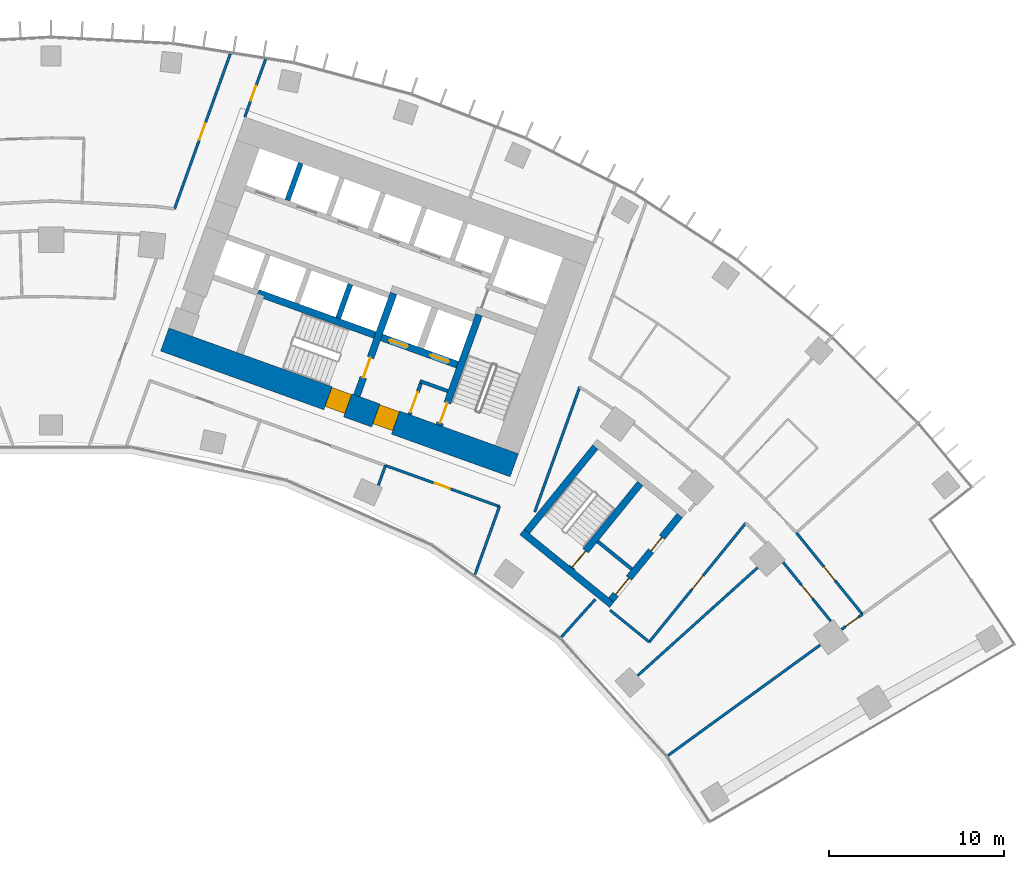
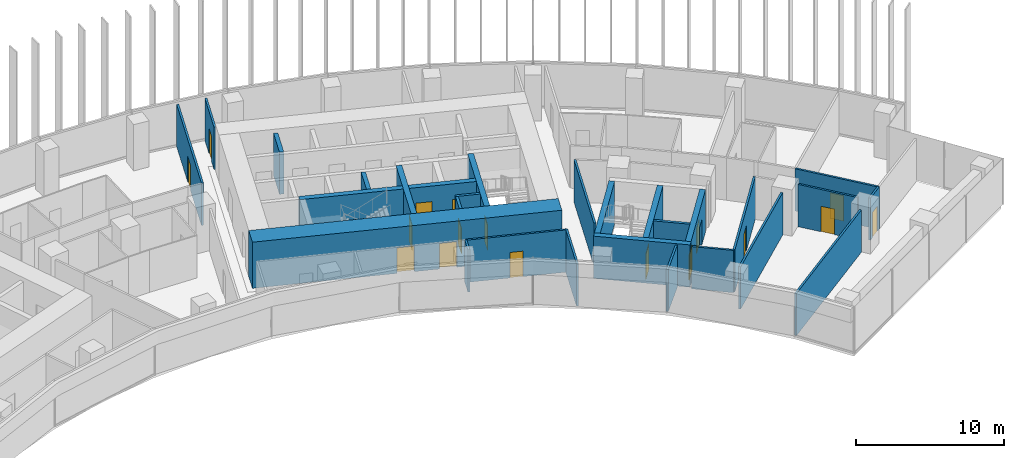
# One storey, part 18 of 22: 27 walls, 17 doors, 17 openings.
"""IFC4 building model written with IfcOpenShell, lengths in metres."""

from ifc_helpers import new_model, si_unit, direction, frame, frame_2d, origin, place, context, subcontext, project, spatial, rectangle, extrude, material, layer, layer_set, type_object, element, fill, save


model = new_model("IFC4")

# Units and contexts
model_context = context("Model", 3, precision=1e-05, world=origin(), true_north=direction((0.0, 1.0)))
body_context = subcontext(model_context, "Body", "Model", "MODEL_VIEW")
ifc_project = project(units=[si_unit("LENGTHUNIT", "METRE"), si_unit("AREAUNIT", "SQUARE_METRE"), si_unit("VOLUMEUNIT", "CUBIC_METRE"), si_unit("PLANEANGLEUNIT", "RADIAN"), si_unit("MASSUNIT", "GRAM", prefix="KILO")], contexts=[model_context])

# Site, building, storey
site_placement = place(None, origin())
site = spatial("IfcSite", under=ifc_project, at=site_placement, CompositionType="ELEMENT")
building_placement = place(site_placement, origin())
building = spatial("IfcBuilding", under=site, at=building_placement, Name="Stone Belt Terrace Tower", CompositionType="ELEMENT")
storey_placement = place(building_placement, frame((0.0, 0.0, 121.199951171875)))
storey = spatial("IfcBuildingStorey", under=building, at=storey_placement, Name="L29", CompositionType="ELEMENT", Elevation=121.199951171875)

# Wall, openings, doors
ifc_material_1 = material(Name="Concrete B80", Category="concrete")
ifc_layer_1 = layer(ifc_material_1, 1.39990234375)
ifc_layer_set_1 = layer_set([ifc_layer_1], Name="Core wall 1400 B80")
wall_type_1 = type_object("IfcWallType", Name="Core wall 1400 B80", PredefinedType="SHEAR", material=ifc_layer_set_1)
wall_1_placement = place(storey_placement, frame((6.4833984375, 49.318115234375, 0.0), z_axis=(0.0, 0.0, 1.0), x_axis=(0.940923374003, -0.33861955681, 0.0)))
wall_1 = element("IfcWall", 1, at=wall_1_placement, inside=storey, type_object=wall_type_1, Name="Core B wall concave L29", PredefinedType="SHEAR", context=body_context, shape_type="SweptSolid", body=[
    extrude(rectangle(XDim=21.199951171875, YDim=1.39990234375, at=frame_2d((10.60009765625, 0.0))), origin(), (0.0, 0.0, 1.0), 3.800048828125),
])
opening_1_placement = place(wall_1_placement, frame((12.800048828125, 0.0, 0.0)))
opening_1 = element("IfcOpeningElement", 2, at=opening_1_placement, cuts=wall_1, Name="Opening L29-C13", PredefinedType="OPENING", context=body_context, shape_type="SweptSolid", body=[
    extrude(rectangle(XDim=1.199951171875, YDim=2.10009765625, at=frame_2d((0.60009765625, 1.050048828125))), frame((0.0, 0.7099609375, 0.0), z_axis=(0.0, -1.0, 0.0), x_axis=(1.0, 0.0, 0.0)), (0.0, 0.0, 1.0), 1.419921875),
])
opening_2_placement = place(wall_1_placement, frame((9.89990234375, 0.0, 0.0)))
opening_2 = element("IfcOpeningElement", 3, at=opening_2_placement, cuts=wall_1, Name="Opening L29-C15", PredefinedType="OPENING", context=body_context, shape_type="SweptSolid", body=[
    extrude(rectangle(XDim=1.199951171875, YDim=2.10009765625, at=frame_2d((0.60009765625, 1.050048828125))), frame((0.0, 0.7099609375, 0.0), z_axis=(0.0, -1.0, 0.0), x_axis=(1.0, 0.0, 0.0)), (0.0, 0.0, 1.0), 1.419921875),
])
ifc_material_2 = material(Name="Steel door leaf", Category="steel")
door_type_1 = type_object("IfcDoorType", Name="Fire-fighting lobby door 1200", OperationType="SINGLE_SWING_LEFT", PredefinedType="DOOR", material=ifc_material_2)
door_1_placement = place(opening_1_placement, origin())
door_1 = element("IfcDoor", 4, at=door_1_placement, inside=storey, type_object=door_type_1, Name="Fire-fighting lobby door core B", OperationType="SINGLE_SWING_LEFT", OverallHeight=2.10009765625, OverallWidth=1.199951171875, PredefinedType="DOOR", context=body_context, shape_type="SweptSolid", body=[
    extrude(rectangle(XDim=1.199951171875, YDim=2.10009765625, at=frame_2d((0.60009765625, 1.050048828125))), frame((0.0, 0.655029296875, 0.0), z_axis=(0.0, -1.0, 0.0), x_axis=(1.0, 0.0, 0.0)), (0.0, 0.0, 1.0), 1.14990234375),
])
fill(opening_1, door_1)
door_type_2 = type_object("IfcDoorType", Name="Stair door 1200", OperationType="SINGLE_SWING_LEFT", PredefinedType="DOOR", material=ifc_material_2)
door_2_placement = place(opening_2_placement, origin())
door_2 = element("IfcDoor", 5, at=door_2_placement, inside=storey, type_object=door_type_2, Name="Stair 2 exit door core B", OperationType="SINGLE_SWING_RIGHT", OverallHeight=2.10009765625, OverallWidth=1.199951171875, PredefinedType="DOOR", context=body_context, shape_type="SweptSolid", body=[
    extrude(rectangle(XDim=1.199951171875, YDim=2.10009765625, at=frame_2d((0.60009765625, 1.050048828125))), frame((0.0, 0.655029296875, 0.0), z_axis=(0.0, -1.0, 0.0), x_axis=(1.0, 0.0, 0.0)), (0.0, 0.0, 1.0), 1.14990234375),
])
fill(opening_2, door_2)

# Walls
ifc_layer_2 = layer(ifc_material_1, 0.300048828125)
ifc_layer_set_2 = layer_set([ifc_layer_2], Name="Lift shaft wall 300")
wall_type_2 = type_object("IfcWallType", Name="Lift shaft wall 300", PredefinedType="SHEAR", material=ifc_layer_set_2)
wall_2_placement = place(storey_placement, frame((16.38134765625, 50.53857421875, 0.0), z_axis=(0.0, 0.0, 1.0), x_axis=(0.338681515556, 0.940901073982, 0.0)))
element("IfcWall", 6, at=wall_2_placement, inside=storey, type_object=wall_type_2, Name="Core B wall", PredefinedType="SHEAR", context=body_context, shape_type="SweptSolid", body=[
    extrude(rectangle(XDim=2.050048828125, YDim=0.300048828125, at=frame_2d((1.02490234375, 0.0))), origin(), (0.0, 0.0, 1.0), 3.47998046875),
])
wall_3_placement = place(storey_placement, frame((13.48828125, 57.265625, 0.0), z_axis=(0.0, 0.0, 1.0), x_axis=(0.338631098537, 0.940919220286, 0.0)))
element("IfcWall", 7, at=wall_3_placement, inside=storey, type_object=wall_type_2, Name="Core B wall", PredefinedType="SHEAR", context=body_context, shape_type="SweptSolid", body=[
    extrude(rectangle(XDim=2.250244140625, YDim=0.300048828125, at=frame_2d((1.125, 0.0))), origin(), (0.0, 0.0, 1.0), 3.47998046875),
])

# Wall, opening, door
ifc_material_3 = material(Name="Gypsum board partition")
ifc_layer_3 = layer(ifc_material_3, 0.14990234375)
ifc_layer_set_3 = layer_set([ifc_layer_3], Name="PARTITION 150 EI 60")
wall_type_3 = type_object("IfcWallType", Name="PARTITION 150 EI 60", PredefinedType="PARTITIONING", material=ifc_layer_set_3)
wall_4_placement = place(storey_placement, frame((12.23486328125, 65.297119140625, 0.0), z_axis=(0.0, 0.0, 1.0), x_axis=(-0.338853532575, -0.94083913793, 0.0)))
wall_4 = element("IfcWall", 8, at=wall_4_placement, inside=storey, type_object=wall_type_3, Name="L29/wall/i022", PredefinedType="PARTITIONING", context=body_context, shape_type="SweptSolid", body=[
    extrude(rectangle(XDim=3.482177734375, YDim=0.14990234375, at=frame_2d((1.7412109375, 0.0))), origin(), (0.0, 0.0, 1.0), 3.47998046875),
])
opening_3_placement = place(wall_4_placement, frame((1.58837890625, 0.0, 0.0)))
opening_3 = element("IfcOpeningElement", 9, at=opening_3_placement, cuts=wall_4, Name="Opening D-B4-09", PredefinedType="OPENING", context=body_context, shape_type="SweptSolid", body=[
    extrude(rectangle(XDim=0.89990234375, YDim=2.10009765625, at=frame_2d((0.449951171875, 1.050048828125))), frame((0.0, 0.0849609375, 0.0), z_axis=(0.0, -1.0, 0.0), x_axis=(1.0, 0.0, 0.0)), (0.0, 0.0, 1.0), 0.169921875),
])
ifc_material_4 = material(Name="Timber door leaf", Category="wood")
door_type_3 = type_object("IfcDoorType", Name="OFFICE DOOR 900 X 2100", OperationType="NOTDEFINED", PredefinedType="DOOR", material=ifc_material_4)
door_3_placement = place(opening_3_placement, origin())
door_3 = element("IfcDoor", 10, at=door_3_placement, inside=storey, type_object=door_type_3, Name="L29/door/i09", OperationType="SINGLE_SWING_RIGHT", OverallHeight=2.10009765625, OverallWidth=0.89990234375, PredefinedType="DOOR", context=body_context, shape_type="SweptSolid", body=[
    extrude(rectangle(XDim=0.89990234375, YDim=2.10009765625, at=frame_2d((0.449951171875, 1.050048828125))), frame((0.0, 0.02490234375, 0.0), z_axis=(0.0, -1.0, 0.0), x_axis=(1.0, 0.0, 0.0)), (0.0, 0.0, 1.0), 0.050048828125),
])
fill(opening_3, door_3)

wall_5_placement = place(storey_placement, frame((7.0390625, 56.76708984375, 0.0), z_axis=(0.0, 0.0, 1.0), x_axis=(0.338637655092, 0.940916860596, 0.0)))
wall_5 = element("IfcWall", 11, at=wall_5_placement, inside=storey, type_object=wall_type_3, Name="L29/wall/i024", PredefinedType="PARTITIONING", context=body_context, shape_type="SweptSolid", body=[
    extrude(rectangle(XDim=9.40478515625, YDim=0.14990234375, at=frame_2d((4.702392578125, 0.0))), origin(), (0.0, 0.0, 1.0), 3.47998046875),
])
opening_4_placement = place(wall_5_placement, frame((4.202392578125, 0.0, 0.0)))
opening_4 = element("IfcOpeningElement", 12, at=opening_4_placement, cuts=wall_5, Name="Opening D-B4-31", PredefinedType="OPENING", context=body_context, shape_type="SweptSolid", body=[
    extrude(rectangle(XDim=1.0, YDim=2.10009765625, at=frame_2d((0.5, 1.050048828125))), frame((0.0, 0.0849609375, 0.0), z_axis=(0.0, -1.0, 0.0), x_axis=(1.0, 0.0, 0.0)), (0.0, 0.0, 1.0), 0.169921875),
])
ifc_material_5 = material(Name="Timber fire door leaf", Category="wood")
door_type_4 = type_object("IfcDoorType", Name="TENANCY ENTRANCE DOOR 1000 X 2100", OperationType="NOTDEFINED", PredefinedType="DOOR", material=ifc_material_5)
door_4_placement = place(opening_4_placement, origin())
door_4 = element("IfcDoor", 13, at=door_4_placement, inside=storey, type_object=door_type_4, Name="L29/door/i31", OperationType="SINGLE_SWING_RIGHT", OverallHeight=2.10009765625, OverallWidth=1.0, PredefinedType="DOOR", context=body_context, shape_type="SweptSolid", body=[
    extrude(rectangle(XDim=1.0, YDim=2.10009765625, at=frame_2d((0.5, 1.050048828125))), frame((0.0, 0.02490234375, 0.0), z_axis=(0.0, -1.0, 0.0), x_axis=(1.0, 0.0, 0.0)), (0.0, 0.0, 1.0), 0.050048828125),
])
fill(opening_4, door_4)

# Walls
wall_6_placement = place(storey_placement, frame((24.18603515625, 35.902099609375, 0.0), z_axis=(0.0, 0.0, 1.0), x_axis=(0.338545933013, 0.940949866486, 0.0)))
element("IfcWall", 14, at=wall_6_placement, inside=storey, type_object=wall_type_3, Name="L29/wall/i025", PredefinedType="PARTITIONING", context=body_context, shape_type="SweptSolid", body=[
    extrude(rectangle(XDim=4.135009765625, YDim=0.14990234375, at=frame_2d((2.0673828125, 0.0))), origin(), (0.0, 0.0, 1.0), 3.47998046875),
])
wall_7_placement = place(storey_placement, frame((30.1669921875, 46.612060546875, 0.0), z_axis=(0.0, 0.0, 1.0), x_axis=(-0.338694393991, -0.940896438233, 0.0)))
element("IfcWall", 15, at=wall_7_placement, inside=storey, type_object=wall_type_3, Name="L29/wall/i027", PredefinedType="PARTITIONING", context=body_context, shape_type="SweptSolid", body=[
    extrude(rectangle(XDim=7.585205078125, YDim=0.14990234375, at=frame_2d((3.79248046875, 0.0))), origin(), (0.0, 0.0, 1.0), 3.47998046875),
])
wall_8_placement = place(storey_placement, frame((31.054931640625, 34.489990234375, 0.0), z_axis=(0.0, 0.0, 1.0), x_axis=(-0.669108362487, -0.743164853347, 0.0)))
element("IfcWall", 16, at=wall_8_placement, inside=storey, type_object=wall_type_3, Name="L29/wall/i028", PredefinedType="PARTITIONING", context=body_context, shape_type="SweptSolid", body=[
    extrude(rectangle(XDim=2.910888671875, YDim=0.14990234375, at=frame_2d((1.45556640625, 0.0))), origin(), (0.0, 0.0, 1.0), 3.47998046875),
])

# Wall, opening, door
wall_9_placement = place(storey_placement, frame((25.583984375, 39.787109375, 0.0), z_axis=(0.0, 0.0, 1.0), x_axis=(-0.940925641698, 0.338613255493, 0.0)))
wall_9 = element("IfcWall", 17, at=wall_9_placement, inside=storey, type_object=wall_type_3, Name="L29/wall/i033", PredefinedType="PARTITIONING", context=body_context, shape_type="SweptSolid", body=[
    extrude(rectangle(XDim=6.918701171875, YDim=0.14990234375, at=frame_2d((3.45947265625, 0.0))), origin(), (0.0, 0.0, 1.0), 3.47998046875),
])
opening_5_placement = place(wall_9_placement, frame((3.00927734375, 0.0, 0.0)))
opening_5 = element("IfcOpeningElement", 18, at=opening_5_placement, cuts=wall_9, Name="Opening D-B4-08", PredefinedType="OPENING", context=body_context, shape_type="SweptSolid", body=[
    extrude(rectangle(XDim=0.89990234375, YDim=2.10009765625, at=frame_2d((0.449951171875, 1.050048828125))), frame((0.0, 0.0849609375, 0.0), z_axis=(0.0, -1.0, 0.0), x_axis=(1.0, 0.0, 0.0)), (0.0, 0.0, 1.0), 0.169921875),
])
door_5_placement = place(opening_5_placement, origin())
door_5 = element("IfcDoor", 19, at=door_5_placement, inside=storey, type_object=door_type_3, Name="L29/door/i08", OperationType="SINGLE_SWING_RIGHT", OverallHeight=2.10009765625, OverallWidth=0.89990234375, PredefinedType="DOOR", context=body_context, shape_type="SweptSolid", body=[
    extrude(rectangle(XDim=0.89990234375, YDim=2.10009765625, at=frame_2d((0.449951171875, 1.050048828125))), frame((0.0, 0.02490234375, 0.0), z_axis=(0.0, -1.0, 0.0), x_axis=(1.0, 0.0, 0.0)), (0.0, 0.0, 1.0), 0.050048828125),
])
fill(opening_5, door_5)

# Wall
wall_10_placement = place(storey_placement, frame((19.080078125, 42.1279296875, 0.0), z_axis=(0.0, 0.0, 1.0), x_axis=(-0.338669018445, -0.940905572279, 0.0)))
element("IfcWall", 20, at=wall_10_placement, inside=storey, type_object=wall_type_3, Name="L29/wall/i035", PredefinedType="PARTITIONING", context=body_context, shape_type="SweptSolid", body=[
    extrude(rectangle(XDim=1.199462890625, YDim=0.14990234375, at=frame_2d((0.599609375, 0.0))), origin(), (0.0, 0.0, 1.0), 3.47998046875),
])

# Wall, opening, door
wall_11_placement = place(storey_placement, frame((46.301025390625, 33.638916015625, 0.0), z_axis=(0.0, 0.0, 1.0), x_axis=(-0.809407972322, -0.587246740597, 0.0)))
wall_11 = element("IfcWall", 21, at=wall_11_placement, inside=storey, type_object=wall_type_3, Name="L29/wall/i054", PredefinedType="PARTITIONING", context=body_context, shape_type="SweptSolid", body=[
    extrude(rectangle(XDim=1.475830078125, YDim=0.14990234375, at=frame_2d((0.73779296875, 0.0))), origin(), (0.0, 0.0, 1.0), 3.47998046875),
])
opening_6_placement = place(wall_11_placement, frame((0.287841796875, 0.0, 0.0)))
opening_6 = element("IfcOpeningElement", 22, at=opening_6_placement, cuts=wall_11, Name="Opening D-B4-18", PredefinedType="OPENING", context=body_context, shape_type="SweptSolid", body=[
    extrude(rectangle(XDim=0.89990234375, YDim=2.10009765625, at=frame_2d((0.449951171875, 1.050048828125))), frame((0.0, 0.0849609375, 0.0), z_axis=(0.0, -1.0, 0.0), x_axis=(1.0, 0.0, 0.0)), (0.0, 0.0, 1.0), 0.169921875),
])
door_6_placement = place(opening_6_placement, origin())
door_6 = element("IfcDoor", 23, at=door_6_placement, inside=storey, type_object=door_type_3, Name="L29/door/i18", OperationType="SINGLE_SWING_RIGHT", OverallHeight=2.10009765625, OverallWidth=0.89990234375, PredefinedType="DOOR", context=body_context, shape_type="SweptSolid", body=[
    extrude(rectangle(XDim=0.89990234375, YDim=2.10009765625, at=frame_2d((0.449951171875, 1.050048828125))), frame((0.0, 0.02490234375, 0.0), z_axis=(0.0, -1.0, 0.0), x_axis=(1.0, 0.0, 0.0)), (0.0, 0.0, 1.0), 0.050048828125),
])
fill(opening_6, door_6)

# Wall
wall_12_placement = place(storey_placement, frame((35.192138671875, 25.568115234375, 0.0), z_axis=(0.0, 0.0, 1.0), x_axis=(0.809024841759, 0.587774451143, 0.0)))
element("IfcWall", 24, at=wall_12_placement, inside=storey, type_object=wall_type_3, Name="L29/wall/i055", PredefinedType="PARTITIONING", context=body_context, shape_type="SweptSolid", body=[
    extrude(rectangle(XDim=10.745361328125, YDim=0.14990234375, at=frame_2d((5.37255859375, 0.0))), origin(), (0.0, 0.0, 1.0), 3.47998046875),
])

# Wall, opening, door
wall_13_placement = place(storey_placement, frame((44.485107421875, 33.253662109375, 0.0), z_axis=(0.0, 0.0, 1.0), x_axis=(-0.629214542808, 0.777231663739, 0.0)))
wall_13 = element("IfcWall", 25, at=wall_13_placement, inside=storey, type_object=wall_type_3, Name="L29/wall/i066", PredefinedType="PARTITIONING", context=body_context, shape_type="SweptSolid", body=[
    extrude(rectangle(XDim=4.304931640625, YDim=0.14990234375, at=frame_2d((2.15234375, 0.0))), origin(), (0.0, 0.0, 1.0), 3.47998046875),
])
opening_7_placement = place(wall_13_placement, frame((1.652587890625, 0.0, 0.0)))
opening_7 = element("IfcOpeningElement", 26, at=opening_7_placement, cuts=wall_13, Name="Opening D-B4-21", PredefinedType="OPENING", context=body_context, shape_type="SweptSolid", body=[
    extrude(rectangle(XDim=1.0, YDim=2.10009765625, at=frame_2d((0.5, 1.050048828125))), frame((0.0, 0.0849609375, 0.0), z_axis=(0.0, -1.0, 0.0), x_axis=(1.0, 0.0, 0.0)), (0.0, 0.0, 1.0), 0.169921875),
])
door_7_placement = place(opening_7_placement, origin())
door_7 = element("IfcDoor", 27, at=door_7_placement, inside=storey, type_object=door_type_4, Name="L29/door/i21", OperationType="SINGLE_SWING_RIGHT", OverallHeight=2.10009765625, OverallWidth=1.0, PredefinedType="DOOR", context=body_context, shape_type="SweptSolid", body=[
    extrude(rectangle(XDim=1.0, YDim=2.10009765625, at=frame_2d((0.5, 1.050048828125))), frame((0.0, 0.02490234375, 0.0), z_axis=(0.0, -1.0, 0.0), x_axis=(1.0, 0.0, 0.0)), (0.0, 0.0, 1.0), 0.050048828125),
])
fill(opening_7, door_7)

wall_14_placement = place(storey_placement, frame((42.527099609375, 38.2900390625, 0.0), z_axis=(0.0, 0.0, 1.0), x_axis=(0.629322532513, -0.77714422733, 0.0)))
wall_14 = element("IfcWall", 28, at=wall_14_placement, inside=storey, type_object=wall_type_3, Name="L29/wall/i069", PredefinedType="PARTITIONING", context=body_context, shape_type="SweptSolid", body=[
    extrude(rectangle(XDim=5.98876953125, YDim=0.14990234375, at=frame_2d((2.994384765625, 0.0))), origin(), (0.0, 0.0, 1.0), 3.47998046875),
])
opening_8_placement = place(wall_14_placement, frame((2.494384765625, 0.0, 0.0)))
opening_8 = element("IfcOpeningElement", 29, at=opening_8_placement, cuts=wall_14, Name="Opening D-B4-27", PredefinedType="OPENING", context=body_context, shape_type="SweptSolid", body=[
    extrude(rectangle(XDim=1.0, YDim=2.10009765625, at=frame_2d((0.5, 1.050048828125))), frame((0.0, 0.0849609375, 0.0), z_axis=(0.0, -1.0, 0.0), x_axis=(1.0, 0.0, 0.0)), (0.0, 0.0, 1.0), 0.169921875),
])
door_8_placement = place(opening_8_placement, origin())
door_8 = element("IfcDoor", 30, at=door_8_placement, inside=storey, type_object=door_type_4, Name="L29/door/i27", OperationType="SINGLE_SWING_RIGHT", OverallHeight=2.10009765625, OverallWidth=1.0, PredefinedType="DOOR", context=body_context, shape_type="SweptSolid", body=[
    extrude(rectangle(XDim=1.0, YDim=2.10009765625, at=frame_2d((0.5, 1.050048828125))), frame((0.0, 0.02490234375, 0.0), z_axis=(0.0, -1.0, 0.0), x_axis=(1.0, 0.0, 0.0)), (0.0, 0.0, 1.0), 0.050048828125),
])
fill(opening_8, door_8)

wall_15_placement = place(storey_placement, frame((39.64599609375, 38.84912109375, 0.0), z_axis=(0.0, 0.0, 1.0), x_axis=(-0.630141823003, -0.776480059566, 0.0)))
wall_15 = element("IfcWall", 31, at=wall_15_placement, inside=storey, type_object=wall_type_3, Name="L29/wall/i071", PredefinedType="PARTITIONING", context=body_context, shape_type="SweptSolid", body=[
    extrude(rectangle(XDim=8.748779296875, YDim=0.14990234375, at=frame_2d((4.37451171875, 0.0))), origin(), (0.0, 0.0, 1.0), 3.47998046875),
])
opening_9_placement = place(wall_15_placement, frame((3.874267578125, 0.0, 0.0)))
opening_9 = element("IfcOpeningElement", 32, at=opening_9_placement, cuts=wall_15, Name="Opening D-B4-20", PredefinedType="OPENING", context=body_context, shape_type="SweptSolid", body=[
    extrude(rectangle(XDim=1.0, YDim=2.10009765625, at=frame_2d((0.5, 1.050048828125))), frame((0.0, 0.0849609375, 0.0), z_axis=(0.0, -1.0, 0.0), x_axis=(1.0, 0.0, 0.0)), (0.0, 0.0, 1.0), 0.169921875),
])
door_9_placement = place(opening_9_placement, origin())
door_9 = element("IfcDoor", 33, at=door_9_placement, inside=storey, type_object=door_type_4, Name="L29/door/i20", OperationType="SINGLE_SWING_RIGHT", OverallHeight=2.10009765625, OverallWidth=1.0, PredefinedType="DOOR", context=body_context, shape_type="SweptSolid", body=[
    extrude(rectangle(XDim=1.0, YDim=2.10009765625, at=frame_2d((0.5, 1.050048828125))), frame((0.0, 0.02490234375, 0.0), z_axis=(0.0, -1.0, 0.0), x_axis=(1.0, 0.0, 0.0)), (0.0, 0.0, 1.0), 0.050048828125),
])
fill(opening_9, door_9)

# Walls
wall_16_placement = place(storey_placement, frame((34.133056640625, 32.055908203125, 0.0), z_axis=(0.0, 0.0, 1.0), x_axis=(-0.776369956068, 0.630277471686, 0.0)))
element("IfcWall", 34, at=wall_16_placement, inside=storey, type_object=wall_type_3, Name="L29/wall/i072", PredefinedType="PARTITIONING", context=body_context, shape_type="SweptSolid", body=[
    extrude(rectangle(XDim=2.8876953125, YDim=0.14990234375, at=frame_2d((1.44384765625, 0.0))), origin(), (0.0, 0.0, 1.0), 3.47998046875),
])
wall_17_placement = place(storey_placement, frame((40.311767578125, 36.297119140625, 0.0), z_axis=(0.0, 0.0, 1.0), x_axis=(-0.74312513137, -0.669152478233, 0.0)))
element("IfcWall", 35, at=wall_17_placement, inside=storey, type_object=wall_type_3, Name="L29/wall/i073", PredefinedType="PARTITIONING", context=body_context, shape_type="SweptSolid", body=[
    extrude(rectangle(XDim=9.195068359375, YDim=0.14990234375, at=frame_2d((4.59765625, 0.0))), origin(), (0.0, 0.0, 1.0), 3.47998046875),
])
ifc_material_6 = material(Name="Concrete masonry block", Category="masonry")
ifc_layer_4 = layer(ifc_material_6, 0.199951171875)
ifc_layer_set_4 = layer_set([ifc_layer_4], Name="Rated lobby wall 200")
wall_type_4 = type_object("IfcWallType", Name="Rated lobby wall 200", PredefinedType="PARTITIONING", material=ifc_layer_set_4)
wall_18_placement = place(storey_placement, frame((22.640625, 46.373046875, 0.0), z_axis=(0.0, 0.0, 1.0), x_axis=(-0.940966110313, 0.338500781747, 0.0)))
element("IfcWall", 36, at=wall_18_placement, inside=storey, type_object=wall_type_4, Name="Core B wall", PredefinedType="PARTITIONING", context=body_context, shape_type="SweptSolid", body=[
    extrude(rectangle(XDim=1.699951171875, YDim=0.199951171875, at=frame_2d((0.85009765625, 0.0))), origin(), (0.0, 0.0, 1.0), 3.47998046875),
])

# Wall, opening, door
wall_19_placement = place(storey_placement, frame((20.4580078125, 45.032958984375, 0.0), z_axis=(0.0, 0.0, 1.0), x_axis=(0.338573865316, 0.940939816208, 0.0)))
wall_19 = element("IfcWall", 37, at=wall_19_placement, inside=storey, type_object=wall_type_4, Name="Core B wall", PredefinedType="PARTITIONING", context=body_context, shape_type="SweptSolid", body=[
    extrude(rectangle(XDim=1.900146484375, YDim=0.199951171875, at=frame_2d((0.9501953125, 0.0))), origin(), (0.0, 0.0, 1.0), 3.47998046875),
])
opening_10_placement = place(wall_19_placement, frame((0.14990234375, 0.0, 0.0)))
opening_10 = element("IfcOpeningElement", 38, at=opening_10_placement, cuts=wall_19, Name="Opening L29-C12", PredefinedType="OPENING", context=body_context, shape_type="SweptSolid", body=[
    extrude(rectangle(XDim=1.199951171875, YDim=2.10009765625, at=frame_2d((0.60009765625, 1.050048828125))), frame((0.0, 0.10986328125, 0.0), z_axis=(0.0, -1.0, 0.0), x_axis=(1.0, 0.0, 0.0)), (0.0, 0.0, 1.0), 0.219970703125),
])
door_10_placement = place(opening_10_placement, origin())
door_10 = element("IfcDoor", 39, at=door_10_placement, inside=storey, type_object=door_type_2, Name="Stair airlock door core B", OperationType="SINGLE_SWING_LEFT", OverallHeight=2.10009765625, OverallWidth=1.199951171875, PredefinedType="DOOR", context=body_context, shape_type="SweptSolid", body=[
    extrude(rectangle(XDim=1.199951171875, YDim=2.10009765625, at=frame_2d((0.60009765625, 1.050048828125))), frame((0.0, 0.02490234375, 0.0), z_axis=(0.0, -1.0, 0.0), x_axis=(1.0, 0.0, 0.0)), (0.0, 0.0, 1.0), 0.050048828125),
])
fill(opening_10, door_10)

# Wall
wall_20_placement = place(storey_placement, frame((31.190673828125, 37.79296875, 0.0), z_axis=(0.0, 0.0, 1.0), x_axis=(0.776370830301, -0.630276394813, 0.0)))
element("IfcWall", 40, at=wall_20_placement, inside=storey, type_object=wall_type_4, Name="Exit stair ST3B wall", PredefinedType="PARTITIONING", context=body_context, shape_type="SweptSolid", body=[
    extrude(rectangle(XDim=2.5, YDim=0.199951171875, at=frame_2d((1.25, 0.0))), origin(), (0.0, 0.0, 1.0), 3.47998046875),
])

# Wall, opening, door
ifc_layer_5 = layer(ifc_material_1, 0.39990234375)
ifc_layer_set_5 = layer_set([ifc_layer_5], Name="Stair enclosure wall 400")
wall_type_5 = type_object("IfcWallType", Name="Stair enclosure wall 400", PredefinedType="SHEAR", material=ifc_layer_set_5)
wall_21_placement = place(storey_placement, frame((22.151611328125, 44.42333984375, 0.0), z_axis=(0.0, 0.0, 1.0), x_axis=(0.338625272931, 0.940921316866, 0.0)))
wall_21 = element("IfcWall", 41, at=wall_21_placement, inside=storey, type_object=wall_type_5, Name="Core B wall", PredefinedType="SHEAR", context=body_context, shape_type="SweptSolid", body=[
    extrude(rectangle(XDim=6.699951171875, YDim=0.39990234375, at=frame_2d((3.35009765625, 0.0))), origin(), (0.0, 0.0, 1.0), 3.47998046875),
])
opening_11_placement = place(wall_21_placement, frame((0.14990234375, 0.0, 0.0)))
opening_11 = element("IfcOpeningElement", 42, at=opening_11_placement, cuts=wall_21, Name="Opening L29-C11", PredefinedType="OPENING", context=body_context, shape_type="SweptSolid", body=[
    extrude(rectangle(XDim=1.199951171875, YDim=2.10009765625, at=frame_2d((0.60009765625, 1.050048828125))), frame((0.0, 0.2099609375, 0.0), z_axis=(0.0, -1.0, 0.0), x_axis=(1.0, 0.0, 0.0)), (0.0, 0.0, 1.0), 0.419921875),
])
door_11_placement = place(opening_11_placement, origin())
door_11 = element("IfcDoor", 43, at=door_11_placement, inside=storey, type_object=door_type_2, Name="Stair 1 door core B", OperationType="SINGLE_SWING_LEFT", OverallHeight=2.10009765625, OverallWidth=1.199951171875, PredefinedType="DOOR", context=body_context, shape_type="SweptSolid", body=[
    extrude(rectangle(XDim=1.199951171875, YDim=2.10009765625, at=frame_2d((0.60009765625, 1.050048828125))), frame((0.0, 0.02490234375, 0.0), z_axis=(0.0, -1.0, 0.0), x_axis=(1.0, 0.0, 0.0)), (0.0, 0.0, 1.0), 0.050048828125),
])
fill(opening_11, door_11)

# Wall, openings, doors
wall_22_placement = place(storey_placement, frame((23.182373046875, 47.87841796875, 0.0), z_axis=(0.0, 0.0, 1.0), x_axis=(-0.940921101762, 0.338625870628, 0.0)))
wall_22 = element("IfcWall", 44, at=wall_22_placement, inside=storey, type_object=wall_type_5, Name="Core B wall", PredefinedType="SHEAR", context=body_context, shape_type="SweptSolid", body=[
    extrude(rectangle(XDim=12.10009765625, YDim=0.39990234375, at=frame_2d((6.050048828125, 0.0))), origin(), (0.0, 0.0, 1.0), 3.47998046875),
])
opening_12_placement = place(wall_22_placement, frame((0.52001953125, 0.0, 0.0)))
opening_12 = element("IfcOpeningElement", 45, at=opening_12_placement, cuts=wall_22, Name="Opening L29-LD16", PredefinedType="OPENING", context=body_context, shape_type="SweptSolid", body=[
    extrude(rectangle(XDim=1.10009765625, YDim=2.199951171875, at=frame_2d((0.550048828125, 1.10009765625))), frame((0.0, 0.2099609375, 0.0), z_axis=(0.0, -1.0, 0.0), x_axis=(1.0, 0.0, 0.0)), (0.0, 0.0, 1.0), 0.419921875),
])
opening_13_placement = place(wall_22_placement, frame((3.02001953125, 0.0, 0.0)))
opening_13 = element("IfcOpeningElement", 46, at=opening_13_placement, cuts=wall_22, Name="Opening L29-LD17", PredefinedType="OPENING", context=body_context, shape_type="SweptSolid", body=[
    extrude(rectangle(XDim=1.10009765625, YDim=2.199951171875, at=frame_2d((0.550048828125, 1.10009765625))), frame((0.0, 0.2099609375, 0.0), z_axis=(0.0, -1.0, 0.0), x_axis=(1.0, 0.0, 0.0)), (0.0, 0.0, 1.0), 0.419921875),
])
ifc_material_7 = material(Name="Stainless steel door leaf", Category="steel")
door_type_5 = type_object("IfcDoorType", Name="Landing door 1100", OperationType="SLIDING_TO_LEFT", PredefinedType="DOOR", material=ifc_material_7)
door_12_placement = place(opening_12_placement, origin())
door_12 = element("IfcDoor", 47, at=door_12_placement, inside=storey, type_object=door_type_5, Name="Landing door FF1 core B", OperationType="SLIDING_TO_LEFT", OverallHeight=2.199951171875, OverallWidth=1.10009765625, PredefinedType="DOOR", context=body_context, shape_type="SweptSolid", body=[
    extrude(rectangle(XDim=1.10009765625, YDim=2.199951171875, at=frame_2d((0.550048828125, 1.10009765625))), frame((0.0, 0.02490234375, 0.0), z_axis=(0.0, -1.0, 0.0), x_axis=(1.0, 0.0, 0.0)), (0.0, 0.0, 1.0), 0.050048828125),
])
fill(opening_12, door_12)
door_13_placement = place(opening_13_placement, origin())
door_13 = element("IfcDoor", 48, at=door_13_placement, inside=storey, type_object=door_type_5, Name="Landing door FF2 core B", OperationType="SLIDING_TO_LEFT", OverallHeight=2.199951171875, OverallWidth=1.10009765625, PredefinedType="DOOR", context=body_context, shape_type="SweptSolid", body=[
    extrude(rectangle(XDim=1.10009765625, YDim=2.199951171875, at=frame_2d((0.550048828125, 1.10009765625))), frame((0.0, 0.02490234375, 0.0), z_axis=(0.0, -1.0, 0.0), x_axis=(1.0, 0.0, 0.0)), (0.0, 0.0, 1.0), 0.050048828125),
])
fill(opening_13, door_13)

# Wall, opening, door
wall_23_placement = place(storey_placement, frame((17.447021484375, 46.116455078125, 0.0), z_axis=(0.0, 0.0, 1.0), x_axis=(0.33860791464, 0.940927563707, 0.0)))
wall_23 = element("IfcWall", 49, at=wall_23_placement, inside=storey, type_object=wall_type_5, Name="Core B wall", PredefinedType="SHEAR", context=body_context, shape_type="SweptSolid", body=[
    extrude(rectangle(XDim=6.199951171875, YDim=0.39990234375, at=frame_2d((3.10009765625, 0.0))), origin(), (0.0, 0.0, 1.0), 3.47998046875),
])
opening_14_placement = place(wall_23_placement, frame((1.10009765625, 0.0, 0.0)))
opening_14 = element("IfcOpeningElement", 50, at=opening_14_placement, cuts=wall_23, Name="Opening L29-C14", PredefinedType="OPENING", context=body_context, shape_type="SweptSolid", body=[
    extrude(rectangle(XDim=1.199951171875, YDim=2.10009765625, at=frame_2d((0.60009765625, 1.050048828125))), frame((0.0, 0.2099609375, 0.0), z_axis=(0.0, -1.0, 0.0), x_axis=(1.0, 0.0, 0.0)), (0.0, 0.0, 1.0), 0.419921875),
])
door_14_placement = place(opening_14_placement, origin())
door_14 = element("IfcDoor", 51, at=door_14_placement, inside=storey, type_object=door_type_2, Name="Stair 2 door core B", OperationType="SINGLE_SWING_LEFT", OverallHeight=2.10009765625, OverallWidth=1.199951171875, PredefinedType="DOOR", context=body_context, shape_type="SweptSolid", body=[
    extrude(rectangle(XDim=1.199951171875, YDim=2.10009765625, at=frame_2d((0.60009765625, 1.050048828125))), frame((0.0, 0.02490234375, 0.0), z_axis=(0.0, -1.0, 0.0), x_axis=(1.0, 0.0, 0.0)), (0.0, 0.0, 1.0), 0.050048828125),
])
fill(opening_14, door_14)

# Walls
wall_24_placement = place(storey_placement, frame((26.868408203125, 38.3388671875, 0.0), z_axis=(0.0, 0.0, 1.0), x_axis=(0.776428452498, -0.630205409491, 0.0)))
element("IfcWall", 52, at=wall_24_placement, inside=storey, type_object=wall_type_5, Name="Exit stair ST3B wall", PredefinedType="SHEAR", context=body_context, shape_type="SweptSolid", body=[
    extrude(rectangle(XDim=6.60009765625, YDim=0.39990234375, at=frame_2d((3.300048828125, 0.0))), origin(), (0.0, 0.0, 1.0), 3.47998046875),
])
wall_25_placement = place(storey_placement, frame((27.149658203125, 38.3681640625, 0.0), z_axis=(0.0, 0.0, 1.0), x_axis=(0.630211551729, 0.776423466973, 0.0)))
element("IfcWall", 53, at=wall_25_placement, inside=storey, type_object=wall_type_5, Name="Exit stair ST3B wall", PredefinedType="SHEAR", context=body_context, shape_type="SweptSolid", body=[
    extrude(rectangle(XDim=6.199951171875, YDim=0.39990234375, at=frame_2d((3.10009765625, 0.0))), origin(), (0.0, 0.0, 1.0), 3.47998046875),
])

# Wall, openings, doors
wall_26_placement = place(storey_placement, frame((31.963623046875, 34.460693359375, 0.0), z_axis=(0.0, 0.0, 1.0), x_axis=(0.630192283849, 0.776439106033, 0.0)))
wall_26 = element("IfcWall", 54, at=wall_26_placement, inside=storey, type_object=wall_type_5, Name="Exit stair ST3B wall", PredefinedType="SHEAR", context=body_context, shape_type="SweptSolid", body=[
    extrude(rectangle(XDim=6.199951171875, YDim=0.39990234375, at=frame_2d((3.10009765625, 0.0))), origin(), (0.0, 0.0, 1.0), 3.47998046875),
])
opening_15_placement = place(wall_26_placement, frame((0.39990234375, 0.0, 0.0)))
opening_15 = element("IfcOpeningElement", 55, at=opening_15_placement, cuts=wall_26, Name="Opening L29-C21", PredefinedType="OPENING", context=body_context, shape_type="SweptSolid", body=[
    extrude(rectangle(XDim=1.199951171875, YDim=2.10009765625, at=frame_2d((0.60009765625, 1.050048828125))), frame((0.0, 0.2099609375, 0.0), z_axis=(0.0, -1.0, 0.0), x_axis=(1.0, 0.0, 0.0)), (0.0, 0.0, 1.0), 0.419921875),
])
opening_16_placement = place(wall_26_placement, frame((3.60009765625, 0.0, 0.0)))
opening_16 = element("IfcOpeningElement", 56, at=opening_16_placement, cuts=wall_26, Name="Opening L29-C22", PredefinedType="OPENING", context=body_context, shape_type="SweptSolid", body=[
    extrude(rectangle(XDim=1.0, YDim=2.10009765625, at=frame_2d((0.5, 1.050048828125))), frame((0.0, 0.2099609375, 0.0), z_axis=(0.0, -1.0, 0.0), x_axis=(1.0, 0.0, 0.0)), (0.0, 0.0, 1.0), 0.419921875),
])
door_type_6 = type_object("IfcDoorType", Name="Core room door 1000", OperationType="SINGLE_SWING_LEFT", PredefinedType="DOOR", material=ifc_material_4)
door_15_placement = place(opening_16_placement, origin())
door_15 = element("IfcDoor", 57, at=door_15_placement, inside=storey, type_object=door_type_6, Name="Door to stair pressurisation plant room ST3B", OperationType="SINGLE_SWING_RIGHT", OverallHeight=2.10009765625, OverallWidth=1.0, PredefinedType="DOOR", context=body_context, shape_type="SweptSolid", body=[
    extrude(rectangle(XDim=1.0, YDim=2.10009765625, at=frame_2d((0.5, 1.050048828125))), frame((0.0, 0.02490234375, 0.0), z_axis=(0.0, -1.0, 0.0), x_axis=(1.0, 0.0, 0.0)), (0.0, 0.0, 1.0), 0.050048828125),
])
fill(opening_16, door_15)
door_type_7 = type_object("IfcDoorType", Name="Stair airlock door 1200", OperationType="SINGLE_SWING_LEFT", PredefinedType="DOOR", material=ifc_material_2)
door_16_placement = place(opening_15_placement, origin())
door_16 = element("IfcDoor", 58, at=door_16_placement, inside=storey, type_object=door_type_7, Name="Stair airlock door ST3B", OperationType="SINGLE_SWING_RIGHT", OverallHeight=2.10009765625, OverallWidth=1.199951171875, PredefinedType="DOOR", context=body_context, shape_type="SweptSolid", body=[
    extrude(rectangle(XDim=1.199951171875, YDim=2.10009765625, at=frame_2d((0.60009765625, 1.050048828125))), frame((0.0, 0.02490234375, 0.0), z_axis=(0.0, -1.0, 0.0), x_axis=(1.0, 0.0, 0.0)), (0.0, 0.0, 1.0), 0.050048828125),
])
fill(opening_15, door_16)

# Wall, opening, door
wall_27_placement = place(storey_placement, frame((29.7119140625, 36.288330078125, 0.0), z_axis=(0.0, 0.0, 1.0), x_axis=(0.630192283849, 0.776439106033, 0.0)))
wall_27 = element("IfcWall", 59, at=wall_27_placement, inside=storey, type_object=wall_type_5, Name="Exit stair ST3B wall", PredefinedType="SHEAR", context=body_context, shape_type="SweptSolid", body=[
    extrude(rectangle(XDim=6.199951171875, YDim=0.39990234375, at=frame_2d((3.10009765625, 0.0))), origin(), (0.0, 0.0, 1.0), 3.47998046875),
])
opening_17_placement = place(wall_27_placement, frame((0.050048828125, 0.0, 0.0)))
opening_17 = element("IfcOpeningElement", 60, at=opening_17_placement, cuts=wall_27, Name="Opening L29-C20", PredefinedType="OPENING", context=body_context, shape_type="SweptSolid", body=[
    extrude(rectangle(XDim=1.199951171875, YDim=2.10009765625, at=frame_2d((0.60009765625, 1.050048828125))), frame((0.0, 0.2099609375, 0.0), z_axis=(0.0, -1.0, 0.0), x_axis=(1.0, 0.0, 0.0)), (0.0, 0.0, 1.0), 0.419921875),
])
door_17_placement = place(opening_17_placement, origin())
door_17 = element("IfcDoor", 61, at=door_17_placement, inside=storey, type_object=door_type_2, Name="Stair door ST3B", OperationType="SINGLE_SWING_LEFT", OverallHeight=2.10009765625, OverallWidth=1.199951171875, PredefinedType="DOOR", context=body_context, shape_type="SweptSolid", body=[
    extrude(rectangle(XDim=1.199951171875, YDim=2.10009765625, at=frame_2d((0.60009765625, 1.050048828125))), frame((0.0, 0.02490234375, 0.0), z_axis=(0.0, -1.0, 0.0), x_axis=(1.0, 0.0, 0.0)), (0.0, 0.0, 1.0), 0.050048828125),
])
fill(opening_17, door_17)

save(model, "model.ifc")
